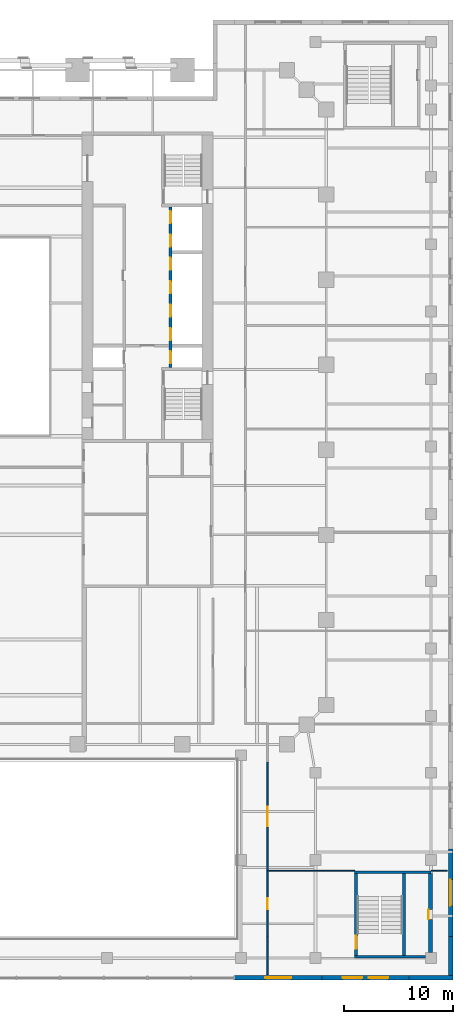
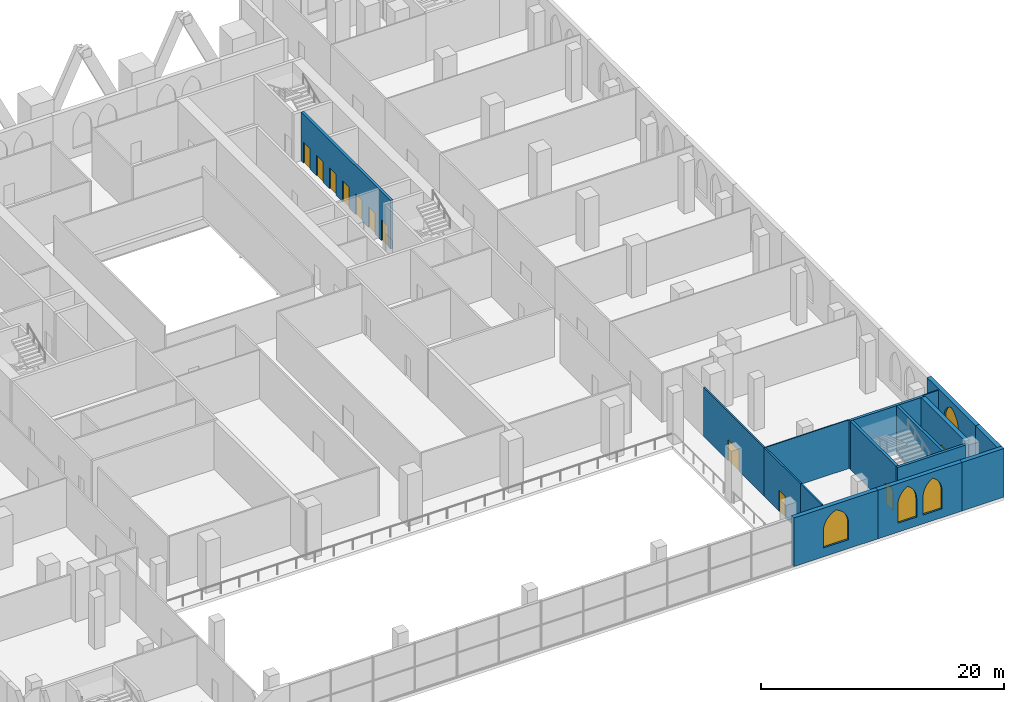
# One storey, part 13 of 22: 16 walls, 11 doors, 4 windows, 15 openings.
"""IFC4 building model written with IfcOpenShell, lengths in metres."""

from ifc_helpers import new_model, si_unit, direction, frame, frame_2d, origin, place, context, subcontext, project, spatial, polyline, rectangle, outline, extrude, material, layer, layer_set, type_object, element, fill, save


model = new_model("IFC4")

# Units and contexts
model_context = context("Model", 3, precision=1e-05, world=origin(), true_north=direction((0.0, 1.0)))
body_context = subcontext(model_context, "Body", "Model", "MODEL_VIEW")
ifc_project = project(units=[si_unit("LENGTHUNIT", "METRE"), si_unit("AREAUNIT", "SQUARE_METRE"), si_unit("VOLUMEUNIT", "CUBIC_METRE"), si_unit("PLANEANGLEUNIT", "RADIAN"), si_unit("MASSUNIT", "GRAM", prefix="KILO")], contexts=[model_context])

# Site, building, storey
site_placement = place(None, origin())
site = spatial("IfcSite", under=ifc_project, at=site_placement, CompositionType="ELEMENT")
building_placement = place(site_placement, origin())
building = spatial("IfcBuilding", under=site, at=building_placement, Name="Ogive Exchange Tower", CompositionType="ELEMENT")
storey_placement = place(building_placement, frame((0.0, 0.0, 14.0)))
storey = spatial("IfcBuildingStorey", under=building, at=storey_placement, Name="L02", CompositionType="ELEMENT", Elevation=14.0)

# Wall
ifc_material_1 = material(Name="Fire partition EI 60 150")
ifc_layer_1 = layer(ifc_material_1, 0.14990234375)
ifc_layer_set_1 = layer_set([ifc_layer_1], Name="Fire partition EI 60 150")
wall_type_1 = type_object("IfcWallType", Name="Fire partition EI 60 150", PredefinedType="PARTITIONING", material=ifc_layer_set_1)
wall_1_placement = place(storey_placement, frame((27.0, -51.5, 0.0), z_axis=(0.0, 0.0, 1.0), x_axis=(0.0, 1.0, 0.0)))
element("IfcWall", 1, at=wall_1_placement, inside=storey, type_object=wall_type_1, Name="L02-PWL-061", PredefinedType="PARTITIONING", context=body_context, shape_type="SweptSolid", body=[
    extrude(rectangle(XDim=3.5, YDim=0.14990234375, at=frame_2d((1.75, 0.0))), origin(), (0.0, 0.0, 1.0), 4.89990234375),
])

# Wall, opening, door
wall_2_placement = place(storey_placement, frame((27.0, -48.0, 0.0), z_axis=(0.0, 0.0, 1.0), x_axis=(0.0, 1.0, 0.0)))
wall_2 = element("IfcWall", 2, at=wall_2_placement, inside=storey, type_object=wall_type_1, Name="L02-PWL-062", PredefinedType="PARTITIONING", context=body_context, shape_type="SweptSolid", body=[
    extrude(rectangle(XDim=6.0, YDim=0.14990234375, at=frame_2d((3.0, 0.0))), origin(), (0.0, 0.0, 1.0), 4.89990234375),
])
opening_1_placement = place(wall_2_placement, frame((2.5, 0.0, 0.0)))
opening_1 = element("IfcOpeningElement", 3, at=opening_1_placement, cuts=wall_2, Name="Opening L02-I16", PredefinedType="OPENING", context=body_context, shape_type="SweptSolid", body=[
    extrude(rectangle(XDim=1.0, YDim=2.10009765625, at=frame_2d((0.5, 1.050048828125))), frame((0.0, 0.0849609375, 0.0), z_axis=(0.0, -1.0, 0.0), x_axis=(1.0, 0.0, 0.0)), (0.0, 0.0, 1.0), 0.169921875),
])
ifc_material_2 = material(Name="Fire door FD 30S 1000 x 2100")
door_type_1 = type_object("IfcDoorType", Name="Fire door FD 30S 1000 x 2100", OperationType="NOTDEFINED", PredefinedType="DOOR", material=ifc_material_2)
door_1_placement = place(opening_1_placement, frame((1.0, 0.0, 0.0), z_axis=(0.0, 0.0, 1.0), x_axis=(-1.0, 0.0, 0.0)))
door_1 = element("IfcDoor", 4, at=door_1_placement, inside=storey, type_object=door_type_1, Name="L02-IDR-016", ObjectType="DT3", OperationType="SINGLE_SWING_RIGHT", OverallHeight=2.10009765625, OverallWidth=1.0, PredefinedType="DOOR", context=body_context, shape_type="SweptSolid", body=[
    extrude(rectangle(XDim=1.0, YDim=2.10009765625, at=frame_2d((0.5, 1.050048828125))), frame((0.0, 0.02490234375, 0.0), z_axis=(0.0, -1.0, 0.0), x_axis=(1.0, 0.0, 0.0)), (0.0, 0.0, 1.0), 0.050048828125),
])
fill(opening_1, door_1)

wall_3_placement = place(storey_placement, frame((27.0, -42.0, 0.0), z_axis=(0.0, 0.0, 1.0), x_axis=(0.0, 1.0, 0.0)))
wall_3 = element("IfcWall", 5, at=wall_3_placement, inside=storey, type_object=wall_type_1, Name="L02-PWL-063", PredefinedType="PARTITIONING", context=body_context, shape_type="SweptSolid", body=[
    extrude(rectangle(XDim=10.0, YDim=0.14990234375, at=frame_2d((5.0, 0.0))), origin(), (0.0, 0.0, 1.0), 4.89990234375),
])
opening_2_placement = place(wall_3_placement, frame((4.10009765625, 0.0, 0.0)))
opening_2 = element("IfcOpeningElement", 6, at=opening_2_placement, cuts=wall_3, Name="Opening L02-I17", PredefinedType="OPENING", context=body_context, shape_type="SweptSolid", body=[
    extrude(rectangle(XDim=1.800048828125, YDim=2.10009765625, at=frame_2d((0.89990234375, 1.050048828125))), frame((0.0, 0.0849609375, 0.0), z_axis=(0.0, -1.0, 0.0), x_axis=(1.0, 0.0, 0.0)), (0.0, 0.0, 1.0), 0.169921875),
])
ifc_material_3 = material(Name="Fire door FD 30S 1800 x 2100")
door_type_2 = type_object("IfcDoorType", Name="Fire door FD 30S 1800 x 2100", OperationType="DOUBLE_DOOR_SINGLE_SWING", PredefinedType="DOOR", material=ifc_material_3)
door_2_placement = place(opening_2_placement, frame((1.800048828125, 0.0, 0.0), z_axis=(0.0, 0.0, 1.0), x_axis=(-1.0, 0.0, 0.0)))
door_2 = element("IfcDoor", 7, at=door_2_placement, inside=storey, type_object=door_type_2, Name="L02-IDR-017", ObjectType="DT4", OperationType="SINGLE_SWING_RIGHT", OverallHeight=2.10009765625, OverallWidth=1.800048828125, PredefinedType="DOOR", context=body_context, shape_type="SweptSolid", body=[
    extrude(rectangle(XDim=1.800048828125, YDim=2.10009765625, at=frame_2d((0.89990234375, 1.050048828125))), frame((0.0, 0.02490234375, 0.0), z_axis=(0.0, -1.0, 0.0), x_axis=(1.0, 0.0, 0.0)), (0.0, 0.0, 1.0), 0.050048828125),
])
fill(opening_2, door_2)

# Wall, opening, window
ifc_material_4 = material(Name="Precast concrete C40/50", Category="concrete")
ifc_layer_2 = layer(ifc_material_4, 0.39990234375)
ifc_layer_set_2 = layer_set([ifc_layer_2], Name="Limestone-faced wall 400")
wall_type_2 = type_object("IfcWallType", Name="Limestone-faced wall 400", PredefinedType="STANDARD", material=ifc_layer_set_2)
wall_4_placement = place(storey_placement, frame((24.0, -51.800048828125, 0.0), z_axis=(0.0, 0.0, 1.0), x_axis=(1.0, 0.0, 0.0)))
wall_4 = element("IfcWall", 8, at=wall_4_placement, inside=storey, type_object=wall_type_2, Name="Podium wall S10", PredefinedType="STANDARD", context=body_context, shape_type="SweptSolid", body=[
    extrude(rectangle(XDim=8.0, YDim=0.39990234375, at=frame_2d((4.0, 0.0))), origin(), (0.0, 0.0, 1.0), 4.89990234375),
])
opening_3_placement = place(wall_4_placement, frame((2.800048828125, 0.0, 0.89990234375)))
opening_3 = element("IfcOpeningElement", 9, at=opening_3_placement, cuts=wall_4, Name="Opening WP340", PredefinedType="OPENING", context=body_context, shape_type="SweptSolid", body=[
    extrude(outline(polyline([(0.0, 0.0), (2.39990234375, 0.0), (2.39990234375, 1.699951171875), (2.378662109375, 1.97607421875), (2.3154296875, 2.24560546875), (2.211669921875, 2.50244140625), (2.069580078125, 2.740234375), (1.89306640625, 2.95361328125), (1.685791015625, 3.137451171875), (1.453125, 3.287353515625), (1.199951171875, 3.39990234375), (0.94677734375, 3.287353515625), (0.714111328125, 3.137451171875), (0.5068359375, 2.95361328125), (0.330322265625, 2.740234375), (0.188232421875, 2.50244140625), (0.08447265625, 2.24560546875), (0.021240234375, 1.97607421875), (0.0, 1.699951171875), (0.0, 0.0)])), frame((0.0, 0.2099609375, 0.0), z_axis=(0.0, -1.0, 0.0), x_axis=(1.0, 0.0, 0.0)), (0.0, 0.0, 1.0), 0.419921875),
])
ifc_material_5 = material(Name="Clear glass in bronze frame", Category="glass")
window_type_1 = type_object("IfcWindowType", Name="Podium lancet window 2400 x 3400", PartitioningType="DOUBLE_PANEL_VERTICAL", PredefinedType="WINDOW", material=ifc_material_5)
window_1_placement = place(opening_3_placement, origin())
window_1 = element("IfcWindow", 10, at=window_1_placement, inside=storey, type_object=window_type_1, Name="Podium window S10", OverallHeight=3.39990234375, OverallWidth=2.39990234375, PartitioningType="DOUBLE_PANEL_VERTICAL", PredefinedType="WINDOW", context=body_context, shape_type="SweptSolid", body=[
    extrude(outline(polyline([(0.0, 0.0), (2.39990234375, 0.0), (2.39990234375, 1.699951171875), (2.378662109375, 1.97607421875), (2.3154296875, 2.24560546875), (2.211669921875, 2.50244140625), (2.069580078125, 2.740234375), (1.89306640625, 2.95361328125), (1.685791015625, 3.137451171875), (1.453125, 3.287353515625), (1.199951171875, 3.39990234375), (0.94677734375, 3.287353515625), (0.714111328125, 3.137451171875), (0.5068359375, 2.95361328125), (0.330322265625, 2.740234375), (0.188232421875, 2.50244140625), (0.08447265625, 2.24560546875), (0.021240234375, 1.97607421875), (0.0, 1.699951171875), (0.0, 0.0)])), frame((0.0, 0.030029296875, 0.0), z_axis=(0.0, -1.0, 0.0), x_axis=(1.0, 0.0, 0.0)), (0.0, 0.0, 1.0), 0.06005859375),
])
fill(opening_3, window_1)

# Wall, openings, windows
wall_5_placement = place(storey_placement, frame((32.0, -51.800048828125, 0.0), z_axis=(0.0, 0.0, 1.0), x_axis=(1.0, 0.0, 0.0)))
wall_5 = element("IfcWall", 11, at=wall_5_placement, inside=storey, type_object=wall_type_2, Name="Podium wall S11", PredefinedType="STANDARD", context=body_context, shape_type="SweptSolid", body=[
    extrude(rectangle(XDim=8.0, YDim=0.39990234375, at=frame_2d((4.0, 0.0))), origin(), (0.0, 0.0, 1.0), 4.89990234375),
])
opening_4_placement = place(wall_5_placement, frame((1.89990234375, 0.0, 0.89990234375)))
opening_4 = element("IfcOpeningElement", 12, at=opening_4_placement, cuts=wall_5, Name="Opening WQ340", PredefinedType="OPENING", context=body_context, shape_type="SweptSolid", body=[
    extrude(outline(polyline([(0.0, 0.0), (1.800048828125, 0.0), (1.800048828125, 1.841064453125), (1.78466796875, 2.075927734375), (1.73876953125, 2.306884765625), (1.6630859375, 2.52978515625), (1.558837890625, 2.740966796875), (1.427978515625, 2.936767578125), (1.272705078125, 3.11376953125), (1.095703125, 3.26904296875), (0.89990234375, 3.39990234375), (0.704345703125, 3.26904296875), (0.52734375, 3.11376953125), (0.3720703125, 2.936767578125), (0.2412109375, 2.740966796875), (0.136962890625, 2.52978515625), (0.061279296875, 2.306884765625), (0.015380859375, 2.075927734375), (0.0, 1.841064453125), (0.0, 0.0)])), frame((0.0, 0.2099609375, 0.0), z_axis=(0.0, -1.0, 0.0), x_axis=(1.0, 0.0, 0.0)), (0.0, 0.0, 1.0), 0.419921875),
])
opening_5_placement = place(wall_5_placement, frame((4.300048828125, 0.0, 0.89990234375)))
opening_5 = element("IfcOpeningElement", 13, at=opening_5_placement, cuts=wall_5, Name="Opening WQ340", PredefinedType="OPENING", context=body_context, shape_type="SweptSolid", body=[
    extrude(outline(polyline([(0.0, 0.0), (1.800048828125, 0.0), (1.800048828125, 1.841064453125), (1.78466796875, 2.075927734375), (1.73876953125, 2.306884765625), (1.6630859375, 2.52978515625), (1.558837890625, 2.740966796875), (1.427978515625, 2.936767578125), (1.272705078125, 3.11376953125), (1.095703125, 3.26904296875), (0.89990234375, 3.39990234375), (0.704345703125, 3.26904296875), (0.52734375, 3.11376953125), (0.3720703125, 2.936767578125), (0.2412109375, 2.740966796875), (0.136962890625, 2.52978515625), (0.061279296875, 2.306884765625), (0.015380859375, 2.075927734375), (0.0, 1.841064453125), (0.0, 0.0)])), frame((0.0, 0.2099609375, 0.0), z_axis=(0.0, -1.0, 0.0), x_axis=(1.0, 0.0, 0.0)), (0.0, 0.0, 1.0), 0.419921875),
])
window_type_2 = type_object("IfcWindowType", Name="Podium paired lancet 1800 x 3400", PartitioningType="DOUBLE_PANEL_VERTICAL", PredefinedType="WINDOW", material=ifc_material_5)
window_2_placement = place(opening_4_placement, origin())
window_2 = element("IfcWindow", 14, at=window_2_placement, inside=storey, type_object=window_type_2, Name="Podium paired lancet S11.1", OverallHeight=3.39990234375, OverallWidth=1.800048828125, PartitioningType="DOUBLE_PANEL_VERTICAL", PredefinedType="WINDOW", context=body_context, shape_type="SweptSolid", body=[
    extrude(outline(polyline([(0.0, 0.0), (1.800048828125, 0.0), (1.800048828125, 1.841064453125), (1.78466796875, 2.075927734375), (1.73876953125, 2.306884765625), (1.6630859375, 2.52978515625), (1.558837890625, 2.740966796875), (1.427978515625, 2.936767578125), (1.272705078125, 3.11376953125), (1.095703125, 3.26904296875), (0.89990234375, 3.39990234375), (0.704345703125, 3.26904296875), (0.52734375, 3.11376953125), (0.3720703125, 2.936767578125), (0.2412109375, 2.740966796875), (0.136962890625, 2.52978515625), (0.061279296875, 2.306884765625), (0.015380859375, 2.075927734375), (0.0, 1.841064453125), (0.0, 0.0)])), frame((0.0, 0.030029296875, 0.0), z_axis=(0.0, -1.0, 0.0), x_axis=(1.0, 0.0, 0.0)), (0.0, 0.0, 1.0), 0.06005859375),
])
fill(opening_4, window_2)
window_3_placement = place(opening_5_placement, origin())
window_3 = element("IfcWindow", 15, at=window_3_placement, inside=storey, type_object=window_type_2, Name="Podium paired lancet S11.2", OverallHeight=3.39990234375, OverallWidth=1.800048828125, PartitioningType="DOUBLE_PANEL_VERTICAL", PredefinedType="WINDOW", context=body_context, shape_type="SweptSolid", body=[
    extrude(outline(polyline([(0.0, 0.0), (1.800048828125, 0.0), (1.800048828125, 1.841064453125), (1.78466796875, 2.075927734375), (1.73876953125, 2.306884765625), (1.6630859375, 2.52978515625), (1.558837890625, 2.740966796875), (1.427978515625, 2.936767578125), (1.272705078125, 3.11376953125), (1.095703125, 3.26904296875), (0.89990234375, 3.39990234375), (0.704345703125, 3.26904296875), (0.52734375, 3.11376953125), (0.3720703125, 2.936767578125), (0.2412109375, 2.740966796875), (0.136962890625, 2.52978515625), (0.061279296875, 2.306884765625), (0.015380859375, 2.075927734375), (0.0, 1.841064453125), (0.0, 0.0)])), frame((0.0, 0.030029296875, 0.0), z_axis=(0.0, -1.0, 0.0), x_axis=(1.0, 0.0, 0.0)), (0.0, 0.0, 1.0), 0.06005859375),
])
fill(opening_5, window_3)

# Walls
wall_6_placement = place(storey_placement, frame((40.0, -51.800048828125, 0.0), z_axis=(0.0, 0.0, 1.0), x_axis=(1.0, 0.0, 0.0)))
element("IfcWall", 16, at=wall_6_placement, inside=storey, type_object=wall_type_2, Name="Podium wall S12", PredefinedType="STANDARD", context=body_context, shape_type="SweptSolid", body=[
    extrude(rectangle(XDim=4.0, YDim=0.39990234375, at=frame_2d((2.0, 0.0))), origin(), (0.0, 0.0, 1.0), 4.89990234375),
])
wall_7_placement = place(storey_placement, frame((43.800048828125, -51.60009765625, 0.0), z_axis=(0.0, 0.0, 1.0), x_axis=(0.0, 1.0, 0.0)))
element("IfcWall", 17, at=wall_7_placement, inside=storey, type_object=wall_type_2, Name="Podium wall E1", PredefinedType="STANDARD", context=body_context, shape_type="SweptSolid", body=[
    extrude(rectangle(XDim=3.60009765625, YDim=0.39990234375, at=frame_2d((1.800048828125, 0.0))), origin(), (0.0, 0.0, 1.0), 4.89990234375),
])

# Wall, opening, window
wall_8_placement = place(storey_placement, frame((43.800048828125, -48.0, 0.0), z_axis=(0.0, 0.0, 1.0), x_axis=(0.0, 1.0, 0.0)))
wall_8 = element("IfcWall", 18, at=wall_8_placement, inside=storey, type_object=wall_type_2, Name="Podium wall E2", PredefinedType="STANDARD", context=body_context, shape_type="SweptSolid", body=[
    extrude(rectangle(XDim=8.0, YDim=0.39990234375, at=frame_2d((4.0, 0.0))), origin(), (0.0, 0.0, 1.0), 4.89990234375),
])
opening_6_placement = place(wall_8_placement, frame((2.800048828125, 0.0, 0.89990234375)))
opening_6 = element("IfcOpeningElement", 19, at=opening_6_placement, cuts=wall_8, Name="Opening WP340", PredefinedType="OPENING", context=body_context, shape_type="SweptSolid", body=[
    extrude(outline(polyline([(0.0, 0.0), (2.39990234375, 0.0), (2.39990234375, 1.699951171875), (2.378662109375, 1.97607421875), (2.3154296875, 2.24560546875), (2.211669921875, 2.50244140625), (2.069580078125, 2.740234375), (1.89306640625, 2.95361328125), (1.685791015625, 3.137451171875), (1.453125, 3.287353515625), (1.199951171875, 3.39990234375), (0.94677734375, 3.287353515625), (0.714111328125, 3.137451171875), (0.5068359375, 2.95361328125), (0.330322265625, 2.740234375), (0.188232421875, 2.50244140625), (0.08447265625, 2.24560546875), (0.021240234375, 1.97607421875), (0.0, 1.699951171875), (0.0, 0.0)])), frame((0.0, 0.2099609375, 0.0), z_axis=(0.0, -1.0, 0.0), x_axis=(1.0, 0.0, 0.0)), (0.0, 0.0, 1.0), 0.419921875),
])
window_4_placement = place(opening_6_placement, origin())
window_4 = element("IfcWindow", 20, at=window_4_placement, inside=storey, type_object=window_type_1, Name="Podium window E2", OverallHeight=3.39990234375, OverallWidth=2.39990234375, PartitioningType="DOUBLE_PANEL_VERTICAL", PredefinedType="WINDOW", context=body_context, shape_type="SweptSolid", body=[
    extrude(outline(polyline([(0.0, 0.0), (2.39990234375, 0.0), (2.39990234375, 1.699951171875), (2.378662109375, 1.97607421875), (2.3154296875, 2.24560546875), (2.211669921875, 2.50244140625), (2.069580078125, 2.740234375), (1.89306640625, 2.95361328125), (1.685791015625, 3.137451171875), (1.453125, 3.287353515625), (1.199951171875, 3.39990234375), (0.94677734375, 3.287353515625), (0.714111328125, 3.137451171875), (0.5068359375, 2.95361328125), (0.330322265625, 2.740234375), (0.188232421875, 2.50244140625), (0.08447265625, 2.24560546875), (0.021240234375, 1.97607421875), (0.0, 1.699951171875), (0.0, 0.0)])), frame((0.0, 0.030029296875, 0.0), z_axis=(0.0, -1.0, 0.0), x_axis=(1.0, 0.0, 0.0)), (0.0, 0.0, 1.0), 0.06005859375),
])
fill(opening_6, window_4)

# Walls
ifc_material_6 = material(Name="Partition 100 gypsum")
ifc_layer_3 = layer(ifc_material_6, 0.10009765625)
ifc_layer_set_3 = layer_set([ifc_layer_3], Name="Partition 100 gypsum")
wall_type_3 = type_object("IfcWallType", Name="Partition 100 gypsum", PredefinedType="PARTITIONING", material=ifc_layer_set_3)
wall_9_placement = place(storey_placement, frame((27.074951171875, -42.0, 0.0), z_axis=(0.0, 0.0, 1.0), x_axis=(1.0, 0.0, 0.0)))
element("IfcWall", 21, at=wall_9_placement, inside=storey, type_object=wall_type_3, Name="L02-PWL-003", PredefinedType="PARTITIONING", context=body_context, shape_type="SweptSolid", body=[
    extrude(rectangle(XDim=7.925048828125, YDim=0.10009765625, at=frame_2d((3.96240234375, 0.0))), origin(), (0.0, 0.0, 1.0), 4.89990234375),
])
wall_10_placement = place(storey_placement, frame((42.0, -42.0, 0.0), z_axis=(0.0, 0.0, 1.0), x_axis=(1.0, 0.0, 0.0)))
element("IfcWall", 22, at=wall_10_placement, inside=storey, type_object=wall_type_3, Name="L02-PWL-004", PredefinedType="PARTITIONING", context=body_context, shape_type="SweptSolid", body=[
    extrude(rectangle(XDim=1.5, YDim=0.10009765625, at=frame_2d((0.75, 0.0))), origin(), (0.0, 0.0, 1.0), 4.89990234375),
])

# Wall, openings, doors
ifc_material_7 = material(Name="Concrete C70/85", Category="concrete")
ifc_layer_4 = layer(ifc_material_7, 0.25)
ifc_layer_set_4 = layer_set([ifc_layer_4], Name="RC core wall 250 C70/85")
wall_type_4 = type_object("IfcWallType", Name="RC core wall 250 C70/85", PredefinedType="SHEAR", material=ifc_layer_set_4)
wall_11_placement = place(storey_placement, frame((18.125, 4.14990234375, 0.0), z_axis=(0.0, 0.0, 1.0), x_axis=(0.0, 1.0, 0.0)))
wall_11 = element("IfcWall", 23, at=wall_11_placement, inside=storey, type_object=wall_type_4, Name="E row A front wall", PredefinedType="SHEAR", context=body_context, shape_type="SweptSolid", body=[
    extrude(rectangle(XDim=14.7001953125, YDim=0.25, at=frame_2d((7.35009765625, 0.0))), origin(), (0.0, 0.0, 1.0), 4.89990234375),
])
opening_7_placement = place(wall_11_placement, frame((0.371337890625, 0.0, 0.0)))
opening_7 = element("IfcOpeningElement", 24, at=opening_7_placement, cuts=wall_11, Name="Opening L02-C22", PredefinedType="OPENING", context=body_context, shape_type="SweptSolid", body=[
    extrude(rectangle(XDim=1.10009765625, YDim=2.10009765625, at=frame_2d((0.550048828125, 1.050048828125))), frame((0.0, 0.135009765625, 0.0), z_axis=(0.0, -1.0, 0.0), x_axis=(1.0, 0.0, 0.0)), (0.0, 0.0, 1.0), 0.27001953125),
])
opening_8_placement = place(wall_11_placement, frame((2.514404296875, 0.0, 0.0)))
opening_8 = element("IfcOpeningElement", 25, at=opening_8_placement, cuts=wall_11, Name="Opening L02-C23", PredefinedType="OPENING", context=body_context, shape_type="SweptSolid", body=[
    extrude(rectangle(XDim=1.10009765625, YDim=2.10009765625, at=frame_2d((0.550048828125, 1.050048828125))), frame((0.0, 0.135009765625, 0.0), z_axis=(0.0, -1.0, 0.0), x_axis=(1.0, 0.0, 0.0)), (0.0, 0.0, 1.0), 0.27001953125),
])
opening_9_placement = place(wall_11_placement, frame((4.656982421875, 0.0, 0.0)))
opening_9 = element("IfcOpeningElement", 26, at=opening_9_placement, cuts=wall_11, Name="Opening L02-C24", PredefinedType="OPENING", context=body_context, shape_type="SweptSolid", body=[
    extrude(rectangle(XDim=1.10009765625, YDim=2.10009765625, at=frame_2d((0.550048828125, 1.050048828125))), frame((0.0, 0.135009765625, 0.0), z_axis=(0.0, -1.0, 0.0), x_axis=(1.0, 0.0, 0.0)), (0.0, 0.0, 1.0), 0.27001953125),
])
opening_10_placement = place(wall_11_placement, frame((6.800048828125, 0.0, 0.0)))
opening_10 = element("IfcOpeningElement", 27, at=opening_10_placement, cuts=wall_11, Name="Opening L02-C25", PredefinedType="OPENING", context=body_context, shape_type="SweptSolid", body=[
    extrude(rectangle(XDim=1.10009765625, YDim=2.10009765625, at=frame_2d((0.550048828125, 1.050048828125))), frame((0.0, 0.135009765625, 0.0), z_axis=(0.0, -1.0, 0.0), x_axis=(1.0, 0.0, 0.0)), (0.0, 0.0, 1.0), 0.27001953125),
])
opening_11_placement = place(wall_11_placement, frame((8.94287109375, 0.0, 0.0)))
opening_11 = element("IfcOpeningElement", 28, at=opening_11_placement, cuts=wall_11, Name="Opening L02-C26", PredefinedType="OPENING", context=body_context, shape_type="SweptSolid", body=[
    extrude(rectangle(XDim=1.10009765625, YDim=2.10009765625, at=frame_2d((0.550048828125, 1.050048828125))), frame((0.0, 0.135009765625, 0.0), z_axis=(0.0, -1.0, 0.0), x_axis=(1.0, 0.0, 0.0)), (0.0, 0.0, 1.0), 0.27001953125),
])
opening_12_placement = place(wall_11_placement, frame((11.085693359375, 0.0, 0.0)))
opening_12 = element("IfcOpeningElement", 29, at=opening_12_placement, cuts=wall_11, Name="Opening L02-C27", PredefinedType="OPENING", context=body_context, shape_type="SweptSolid", body=[
    extrude(rectangle(XDim=1.10009765625, YDim=2.10009765625, at=frame_2d((0.550048828125, 1.050048828125))), frame((0.0, 0.135009765625, 0.0), z_axis=(0.0, -1.0, 0.0), x_axis=(1.0, 0.0, 0.0)), (0.0, 0.0, 1.0), 0.27001953125),
])
opening_13_placement = place(wall_11_placement, frame((13.228515625, 0.0, 0.0)))
opening_13 = element("IfcOpeningElement", 30, at=opening_13_placement, cuts=wall_11, Name="Opening L02-C28", PredefinedType="OPENING", context=body_context, shape_type="SweptSolid", body=[
    extrude(rectangle(XDim=1.10009765625, YDim=2.10009765625, at=frame_2d((0.550048828125, 1.050048828125))), frame((0.0, 0.135009765625, 0.0), z_axis=(0.0, -1.0, 0.0), x_axis=(1.0, 0.0, 0.0)), (0.0, 0.0, 1.0), 0.27001953125),
])
ifc_material_8 = material(Name="Stainless steel", Category="steel")
door_type_3 = type_object("IfcDoorType", Name="Lift landing door FD90 1100 x 2100", OperationType="SLIDING_TO_LEFT", PredefinedType="DOOR", material=ifc_material_8)
door_3_placement = place(opening_7_placement, origin())
door_3 = element("IfcDoor", 31, at=door_3_placement, inside=storey, type_object=door_type_3, Name="Lift landing door FF2", ObjectType="LD", OperationType="SLIDING_TO_LEFT", OverallHeight=2.10009765625, OverallWidth=1.10009765625, PredefinedType="DOOR", context=body_context, shape_type="SweptSolid", body=[
    extrude(rectangle(XDim=1.10009765625, YDim=2.10009765625, at=frame_2d((0.550048828125, 1.050048828125))), frame((0.0, 0.02490234375, 0.0), z_axis=(0.0, -1.0, 0.0), x_axis=(1.0, 0.0, 0.0)), (0.0, 0.0, 1.0), 0.050048828125),
])
fill(opening_7, door_3)
door_4_placement = place(opening_8_placement, origin())
door_4 = element("IfcDoor", 32, at=door_4_placement, inside=storey, type_object=door_type_3, Name="Lift landing door E-L1", ObjectType="LD", OperationType="SLIDING_TO_LEFT", OverallHeight=2.10009765625, OverallWidth=1.10009765625, PredefinedType="DOOR", context=body_context, shape_type="SweptSolid", body=[
    extrude(rectangle(XDim=1.10009765625, YDim=2.10009765625, at=frame_2d((0.550048828125, 1.050048828125))), frame((0.0, 0.02490234375, 0.0), z_axis=(0.0, -1.0, 0.0), x_axis=(1.0, 0.0, 0.0)), (0.0, 0.0, 1.0), 0.050048828125),
])
fill(opening_8, door_4)
door_5_placement = place(opening_9_placement, origin())
door_5 = element("IfcDoor", 33, at=door_5_placement, inside=storey, type_object=door_type_3, Name="Lift landing door E-L2", ObjectType="LD", OperationType="SLIDING_TO_LEFT", OverallHeight=2.10009765625, OverallWidth=1.10009765625, PredefinedType="DOOR", context=body_context, shape_type="SweptSolid", body=[
    extrude(rectangle(XDim=1.10009765625, YDim=2.10009765625, at=frame_2d((0.550048828125, 1.050048828125))), frame((0.0, 0.02490234375, 0.0), z_axis=(0.0, -1.0, 0.0), x_axis=(1.0, 0.0, 0.0)), (0.0, 0.0, 1.0), 0.050048828125),
])
fill(opening_9, door_5)
door_6_placement = place(opening_10_placement, origin())
door_6 = element("IfcDoor", 34, at=door_6_placement, inside=storey, type_object=door_type_3, Name="Lift landing door E-L3", ObjectType="LD", OperationType="SLIDING_TO_LEFT", OverallHeight=2.10009765625, OverallWidth=1.10009765625, PredefinedType="DOOR", context=body_context, shape_type="SweptSolid", body=[
    extrude(rectangle(XDim=1.10009765625, YDim=2.10009765625, at=frame_2d((0.550048828125, 1.050048828125))), frame((0.0, 0.02490234375, 0.0), z_axis=(0.0, -1.0, 0.0), x_axis=(1.0, 0.0, 0.0)), (0.0, 0.0, 1.0), 0.050048828125),
])
fill(opening_10, door_6)
door_7_placement = place(opening_11_placement, origin())
door_7 = element("IfcDoor", 35, at=door_7_placement, inside=storey, type_object=door_type_3, Name="Lift landing door E-L4", ObjectType="LD", OperationType="SLIDING_TO_LEFT", OverallHeight=2.10009765625, OverallWidth=1.10009765625, PredefinedType="DOOR", context=body_context, shape_type="SweptSolid", body=[
    extrude(rectangle(XDim=1.10009765625, YDim=2.10009765625, at=frame_2d((0.550048828125, 1.050048828125))), frame((0.0, 0.02490234375, 0.0), z_axis=(0.0, -1.0, 0.0), x_axis=(1.0, 0.0, 0.0)), (0.0, 0.0, 1.0), 0.050048828125),
])
fill(opening_11, door_7)
door_8_placement = place(opening_12_placement, origin())
door_8 = element("IfcDoor", 36, at=door_8_placement, inside=storey, type_object=door_type_3, Name="Lift landing door E-SH1", ObjectType="LD", OperationType="SLIDING_TO_LEFT", OverallHeight=2.10009765625, OverallWidth=1.10009765625, PredefinedType="DOOR", context=body_context, shape_type="SweptSolid", body=[
    extrude(rectangle(XDim=1.10009765625, YDim=2.10009765625, at=frame_2d((0.550048828125, 1.050048828125))), frame((0.0, 0.02490234375, 0.0), z_axis=(0.0, -1.0, 0.0), x_axis=(1.0, 0.0, 0.0)), (0.0, 0.0, 1.0), 0.050048828125),
])
fill(opening_12, door_8)
door_9_placement = place(opening_13_placement, origin())
door_9 = element("IfcDoor", 37, at=door_9_placement, inside=storey, type_object=door_type_3, Name="Lift landing door E-SH2", ObjectType="LD", OperationType="SLIDING_TO_LEFT", OverallHeight=2.10009765625, OverallWidth=1.10009765625, PredefinedType="DOOR", context=body_context, shape_type="SweptSolid", body=[
    extrude(rectangle(XDim=1.10009765625, YDim=2.10009765625, at=frame_2d((0.550048828125, 1.050048828125))), frame((0.0, 0.02490234375, 0.0), z_axis=(0.0, -1.0, 0.0), x_axis=(1.0, 0.0, 0.0)), (0.0, 0.0, 1.0), 0.050048828125),
])
fill(opening_13, door_9)

# Walls
wall_12_placement = place(storey_placement, frame((35.0, -49.875, 0.0), z_axis=(0.0, 0.0, 1.0), x_axis=(1.0, 0.0, 0.0)))
element("IfcWall", 38, at=wall_12_placement, inside=storey, type_object=wall_type_4, Name="PS2 south wall", PredefinedType="SHEAR", context=body_context, shape_type="SweptSolid", body=[
    extrude(rectangle(XDim=6.5, YDim=0.25, at=frame_2d((3.25, 0.0))), origin(), (0.0, 0.0, 1.0), 4.89990234375),
])
wall_13_placement = place(storey_placement, frame((35.0, -42.125, 0.0), z_axis=(0.0, 0.0, 1.0), x_axis=(1.0, 0.0, 0.0)))
element("IfcWall", 39, at=wall_13_placement, inside=storey, type_object=wall_type_4, Name="PS2 north wall", PredefinedType="SHEAR", context=body_context, shape_type="SweptSolid", body=[
    extrude(rectangle(XDim=7.0, YDim=0.25, at=frame_2d((3.5, 0.0))), origin(), (0.0, 0.0, 1.0), 4.89990234375),
])

# Wall, opening, door
wall_14_placement = place(storey_placement, frame((35.125, -49.75, 0.0), z_axis=(0.0, 0.0, 1.0), x_axis=(0.0, 1.0, 0.0)))
wall_14 = element("IfcWall", 40, at=wall_14_placement, inside=storey, type_object=wall_type_4, Name="PS2 west wall", PredefinedType="SHEAR", context=body_context, shape_type="SweptSolid", body=[
    extrude(rectangle(XDim=7.5, YDim=0.25, at=frame_2d((3.75, 0.0))), origin(), (0.0, 0.0, 1.0), 4.89990234375),
])
opening_14_placement = place(wall_14_placement, frame((0.60009765625, 0.0, 0.0)))
opening_14 = element("IfcOpeningElement", 41, at=opening_14_placement, cuts=wall_14, Name="Opening L02-C46", PredefinedType="OPENING", context=body_context, shape_type="SweptSolid", body=[
    extrude(rectangle(XDim=1.199951171875, YDim=2.10009765625, at=frame_2d((0.60009765625, 1.050048828125))), frame((0.0, 0.135009765625, 0.0), z_axis=(0.0, -1.0, 0.0), x_axis=(1.0, 0.0, 0.0)), (0.0, 0.0, 1.0), 0.27001953125),
])
ifc_material_9 = material(Name="Steel fire door", Category="steel")
door_type_4 = type_object("IfcDoorType", Name="Stair door FD90 1200 x 2100", OperationType="NOTDEFINED", PredefinedType="DOOR", material=ifc_material_9)
door_10_placement = place(opening_14_placement, origin())
door_10 = element("IfcDoor", 42, at=door_10_placement, inside=storey, type_object=door_type_4, Name="Stair door", ObjectType="CD5", OperationType="SINGLE_SWING_RIGHT", OverallHeight=2.10009765625, OverallWidth=1.199951171875, PredefinedType="DOOR", context=body_context, shape_type="SweptSolid", body=[
    extrude(rectangle(XDim=1.199951171875, YDim=2.10009765625, at=frame_2d((0.60009765625, 1.050048828125))), frame((0.0, 0.02490234375, 0.0), z_axis=(0.0, -1.0, 0.0), x_axis=(1.0, 0.0, 0.0)), (0.0, 0.0, 1.0), 0.050048828125),
])
fill(opening_14, door_10)

# Wall
wall_15_placement = place(storey_placement, frame((39.52490234375, -49.75, 0.0), z_axis=(0.0, 0.0, 1.0), x_axis=(0.0, 1.0, 0.0)))
element("IfcWall", 43, at=wall_15_placement, inside=storey, type_object=wall_type_4, Name="PS2 partition wall", PredefinedType="SHEAR", context=body_context, shape_type="SweptSolid", body=[
    extrude(rectangle(XDim=7.5, YDim=0.25, at=frame_2d((3.75, 0.0))), origin(), (0.0, 0.0, 1.0), 4.89990234375),
])

# Wall, opening, door
ifc_layer_5 = layer(ifc_material_7, 0.383544921875)
ifc_layer_set_5 = layer_set([ifc_layer_5], Name="RC core wall 384 C70/85")
wall_type_5 = type_object("IfcWallType", Name="RC core wall 384 C70/85", PredefinedType="SHEAR", material=ifc_layer_set_5)
wall_16_placement = place(storey_placement, frame((41.941650390625, -49.5, 0.0), z_axis=(0.0, 0.0, 1.0), x_axis=(0.0, 1.0, 0.0)))
wall_16 = element("IfcWall", 44, at=wall_16_placement, inside=storey, type_object=wall_type_5, Name="PS2 east wall", PredefinedType="SHEAR", context=body_context, shape_type="SweptSolid", body=[
    extrude(rectangle(XDim=7.25, YDim=0.383544921875, at=frame_2d((3.625, 0.0))), origin(), (0.0, 0.0, 1.0), 4.89990234375),
])
opening_15_placement = place(wall_16_placement, frame((3.050048828125, 0.0, 0.0)))
opening_15 = element("IfcOpeningElement", 45, at=opening_15_placement, cuts=wall_16, Name="Opening L02-C47", PredefinedType="OPENING", context=body_context, shape_type="SweptSolid", body=[
    extrude(rectangle(XDim=0.89990234375, YDim=2.10009765625, at=frame_2d((0.449951171875, 1.050048828125))), frame((0.0, 0.20166015625, 0.0), z_axis=(0.0, -1.0, 0.0), x_axis=(1.0, 0.0, 0.0)), (0.0, 0.0, 1.0), 0.403564453125),
])
door_type_5 = type_object("IfcDoorType", Name="Riser door FD60 900 x 2100", OperationType="NOTDEFINED", PredefinedType="DOOR", material=ifc_material_9)
door_11_placement = place(opening_15_placement, frame((0.89990234375, 0.33349609375, 0.0), z_axis=(0.0, 0.0, 1.0), x_axis=(-1.0, 0.0, 0.0)))
door_11 = element("IfcDoor", 46, at=door_11_placement, inside=storey, type_object=door_type_5, Name="Riser door", ObjectType="CD2", OperationType="SINGLE_SWING_RIGHT", OverallHeight=2.10009765625, OverallWidth=0.89990234375, PredefinedType="DOOR", context=body_context, shape_type="SweptSolid", body=[
    extrude(rectangle(XDim=0.89990234375, YDim=2.10009765625, at=frame_2d((0.449951171875, 1.050048828125))), frame((0.0, 0.19189453125, 0.0), z_axis=(0.0, -1.0, 0.0), x_axis=(1.0, 0.0, 0.0)), (0.0, 0.0, 1.0), 0.050048828125),
])
fill(opening_15, door_11)

save(model, "model.ifc")
